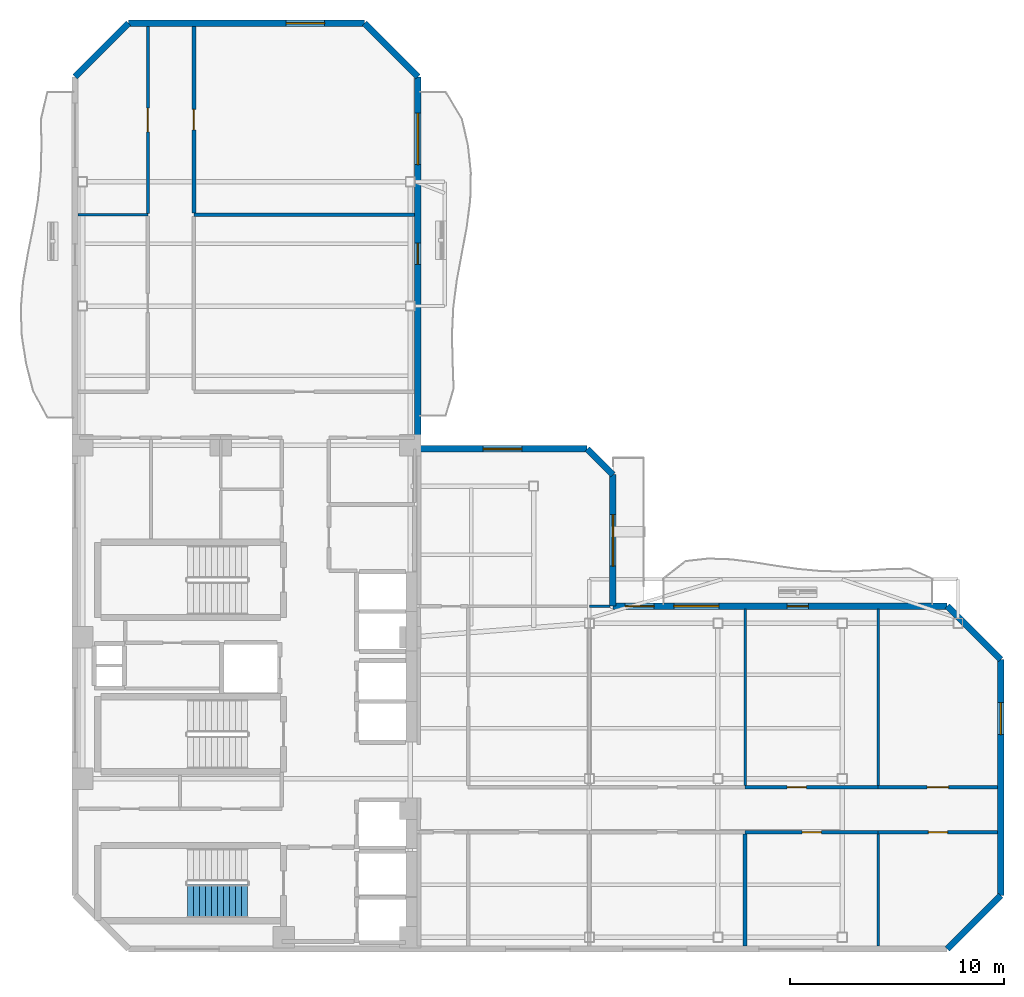
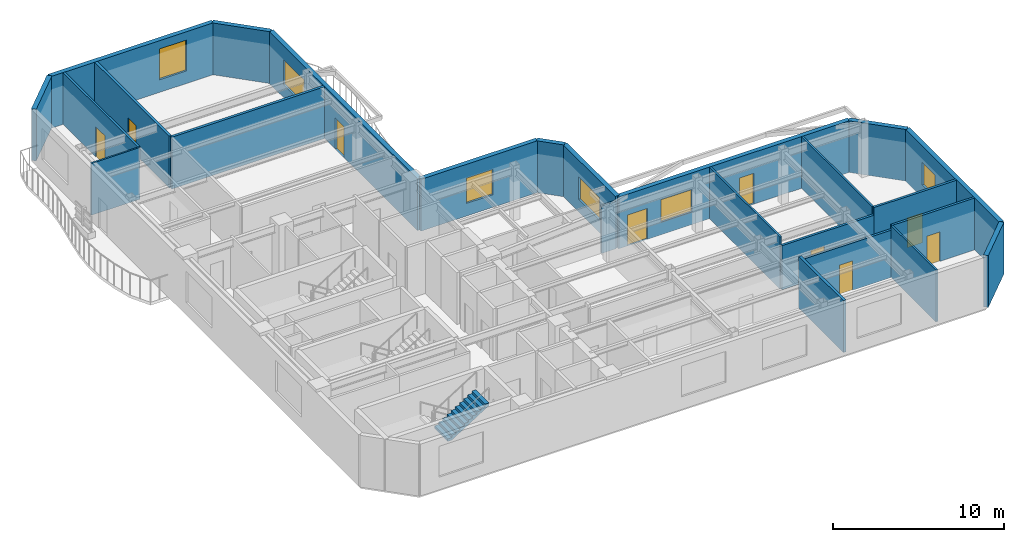
# One storey, part 5 of 9: 24 walls, 9 doors, 6 windows, 1 stair flight, 15 openings, 1 element without a shape of its own.
"""IFC4 building model written with IfcOpenShell, lengths in metres."""

from ifc_helpers import new_model, si_unit, direction, frame, frame_2d, origin, place, context, subcontext, project, spatial, polyline, rectangle, outline, extrude, material, layer, layer_set, type_object, element, fill, aggregate, save


model = new_model("IFC4")

# Units and contexts
model_context = context("Model", 3, precision=1e-05, world=origin(), true_north=direction((0.0, 1.0)))
body_context = subcontext(model_context, "Body", "Model", "MODEL_VIEW")
ifc_project = project(units=[si_unit("LENGTHUNIT", "METRE"), si_unit("AREAUNIT", "SQUARE_METRE"), si_unit("VOLUMEUNIT", "CUBIC_METRE"), si_unit("PLANEANGLEUNIT", "RADIAN"), si_unit("MASSUNIT", "GRAM", prefix="KILO")], contexts=[model_context])

# Site, building, storey
site_placement = place(None, origin())
site = spatial("IfcSite", under=ifc_project, at=site_placement, CompositionType="ELEMENT")
building_placement = place(site_placement, origin())
building = spatial("IfcBuilding", under=site, at=building_placement, Name="Mawjaban Terraces University", CompositionType="ELEMENT")
storey_placement = place(building_placement, frame((0.0, 0.0, 195.300048828125)))
storey = spatial("IfcBuildingStorey", under=building, at=storey_placement, Name="L47", CompositionType="ELEMENT", Elevation=195.300048828125)

# Wall
ifc_material_1 = material(Name="Acoustic masonry blockwork", Category="masonry")
ifc_layer_1 = layer(ifc_material_1, 0.179931640625)
ifc_layer_set_1 = layer_set([ifc_layer_1], Name="Acoustic masonry blockwork")
wall_type_1 = type_object("IfcWallType", Name="AcousticStudioWall_180", PredefinedType="PARTITIONING", material=ifc_layer_set_1)
wall_1_placement = place(storey_placement, frame((37.85009765625, 34.260009765625, 0.0), z_axis=(0.0, 0.0, 1.0), x_axis=(-1.0, 0.0, 0.0)))
element("IfcWall", 1, at=wall_1_placement, inside=storey, type_object=wall_type_1, Name="L47 Faculty Office 11 Partition 17", PredefinedType="PARTITIONING", context=body_context, shape_type="SweptSolid", body=[
    extrude(rectangle(XDim=10.300048828125, YDim=0.179931640625, at=frame_2d((5.14990234375, 0.0))), origin(), (0.0, 0.0, 1.0), 3.68994140625),
])

# Wall, opening, door
wall_2_placement = place(storey_placement, frame((27.550048828125, 34.344970703125, 0.0), z_axis=(0.0, 0.0, 1.0), x_axis=(0.0, 1.0, 0.0)))
wall_2 = element("IfcWall", 2, at=wall_2_placement, inside=storey, type_object=wall_type_1, Name="L47 West Shifted Academic Corridor Partition 36", PredefinedType="PARTITIONING", context=body_context, shape_type="SweptSolid", body=[
    extrude(rectangle(XDim=8.7099609375, YDim=0.179931640625, at=frame_2d((4.35498046875, 0.0))), origin(), (0.0, 0.0, 1.0), 3.68994140625),
])
opening_1_placement = place(wall_2_placement, frame((3.8798828125, 0.0, 0.0)))
opening_1 = element("IfcOpeningElement", 3, at=opening_1_placement, cuts=wall_2, Name="Opening ID-095", PredefinedType="OPENING", context=body_context, shape_type="SweptSolid", body=[
    extrude(rectangle(XDim=0.949951171875, YDim=2.10009765625, at=frame_2d((0.47509765625, 1.050048828125))), frame((0.0, 0.099853515625, 0.0), z_axis=(0.0, -1.0, 0.0), x_axis=(1.0, 0.0, 0.0)), (0.0, 0.0, 1.0), 0.199951171875),
])
ifc_material_2 = material(Name="Powder-coated steel frame and solid acoustic timber leaf", Category="steel")
door_type_1 = type_object("IfcDoorType", Name="StudioDoor_950x2100", OperationType="NOTDEFINED", PredefinedType="DOOR", material=ifc_material_2)
door_1_placement = place(opening_1_placement, origin())
door_1 = element("IfcDoor", 4, at=door_1_placement, inside=storey, type_object=door_type_1, Name="L47 Design Studio 13 Door", OperationType="SINGLE_SWING_LEFT", OverallHeight=2.10009765625, OverallWidth=0.949951171875, PredefinedType="DOOR", context=body_context, shape_type="SweptSolid", body=[
    extrude(rectangle(XDim=0.949951171875, YDim=2.10009765625, at=frame_2d((0.47509765625, 1.050048828125))), frame((0.0, 0.02490234375, 0.0), z_axis=(0.0, -1.0, 0.0), x_axis=(1.0, 0.0, 0.0)), (0.0, 0.0, 1.0), 0.050048828125),
])
fill(opening_1, door_1)

# Wall
wall_3_placement = place(storey_placement, frame((53.27001953125, 0.14501953125, 0.0), z_axis=(0.0, 0.0, 1.0), x_axis=(0.0, 1.0, 0.0)))
element("IfcWall", 5, at=wall_3_placement, inside=storey, type_object=wall_type_1, Name="L47 Media Workshop 4 Partition 54", PredefinedType="PARTITIONING", context=body_context, shape_type="SweptSolid", body=[
    extrude(rectangle(XDim=5.219970703125, YDim=0.179931640625, at=frame_2d((2.60986328125, 0.0))), origin(), (0.0, 0.0, 1.0), 3.68994140625),
])

# Wall, opening, door
ifc_material_3 = material(Name="Fire-rated gypsum board on steel stud", Category="steel")
ifc_layer_2 = layer(ifc_material_3, 0.159912109375)
ifc_layer_set_2 = layer_set([ifc_layer_2], Name="Fire-rated gypsum board on steel stud")
wall_type_2 = type_object("IfcWallType", Name="CorridorPartition_160", PredefinedType="PARTITIONING", material=ifc_layer_set_2)
wall_4_placement = place(storey_placement, frame((53.27001953125, 5.449951171875, 0.0), z_axis=(0.0, 0.0, 1.0), x_axis=(1.0, 0.0, 0.0)))
wall_4 = element("IfcWall", 6, at=wall_4_placement, inside=storey, type_object=wall_type_2, Name="L47 South Shifted Academic Corridor Partition 25", PredefinedType="PARTITIONING", context=body_context, shape_type="SweptSolid", body=[
    extrude(rectangle(XDim=6.2099609375, YDim=0.159912109375, at=frame_2d((3.10498046875, 0.0))), origin(), (0.0, 0.0, 1.0), 3.3720703125),
])
opening_2_placement = place(wall_4_placement, frame((2.655029296875, 0.0, 0.0)))
opening_2 = element("IfcOpeningElement", 7, at=opening_2_placement, cuts=wall_4, Name="Opening ID-090", PredefinedType="OPENING", context=body_context, shape_type="SweptSolid", body=[
    extrude(rectangle(XDim=0.89990234375, YDim=2.10009765625, at=frame_2d((0.449951171875, 1.050048828125))), frame((0.0, 0.08984375, 0.0), z_axis=(0.0, -1.0, 0.0), x_axis=(1.0, 0.0, 0.0)), (0.0, 0.0, 1.0), 0.179931640625),
])
door_type_2 = type_object("IfcDoorType", Name="OfficeDoor_900x2100", OperationType="NOTDEFINED", PredefinedType="DOOR", material=ifc_material_2)
door_2_placement = place(opening_2_placement, origin())
door_2 = element("IfcDoor", 8, at=door_2_placement, inside=storey, type_object=door_type_2, Name="L47 Reading Salon 6 Door", OperationType="SINGLE_SWING_RIGHT", OverallHeight=2.10009765625, OverallWidth=0.89990234375, PredefinedType="DOOR", context=body_context, shape_type="SweptSolid", body=[
    extrude(rectangle(XDim=0.89990234375, YDim=2.10009765625, at=frame_2d((0.449951171875, 1.050048828125))), frame((0.0, 0.02490234375, 0.0), z_axis=(0.0, -1.0, 0.0), x_axis=(1.0, 0.0, 0.0)), (0.0, 0.0, 1.0), 0.050048828125),
])
fill(opening_2, door_2)

wall_5_placement = place(storey_placement, frame((59.47998046875, 5.449951171875, 0.0), z_axis=(0.0, 0.0, 1.0), x_axis=(1.0, 0.0, 0.0)))
wall_5 = element("IfcWall", 9, at=wall_5_placement, inside=storey, type_object=wall_type_2, Name="L47 South Shifted Academic Corridor Partition 27", PredefinedType="PARTITIONING", context=body_context, shape_type="SweptSolid", body=[
    extrude(rectangle(XDim=5.574951171875, YDim=0.159912109375, at=frame_2d((2.78759765625, 0.0))), origin(), (0.0, 0.0, 1.0), 3.68994140625),
])
opening_3_placement = place(wall_5_placement, frame((2.337890625, 0.0, 0.0)))
opening_3 = element("IfcOpeningElement", 10, at=opening_3_placement, cuts=wall_5, Name="Opening ID-090", PredefinedType="OPENING", context=body_context, shape_type="SweptSolid", body=[
    extrude(rectangle(XDim=0.89990234375, YDim=2.10009765625, at=frame_2d((0.449951171875, 1.050048828125))), frame((0.0, 0.08984375, 0.0), z_axis=(0.0, -1.0, 0.0), x_axis=(1.0, 0.0, 0.0)), (0.0, 0.0, 1.0), 0.179931640625),
])
door_3_placement = place(opening_3_placement, origin())
door_3 = element("IfcDoor", 11, at=door_3_placement, inside=storey, type_object=door_type_2, Name="L47 Academic Counseling Room 8 Door", OperationType="SINGLE_SWING_RIGHT", OverallHeight=2.10009765625, OverallWidth=0.89990234375, PredefinedType="DOOR", context=body_context, shape_type="SweptSolid", body=[
    extrude(rectangle(XDim=0.89990234375, YDim=2.10009765625, at=frame_2d((0.449951171875, 1.050048828125))), frame((0.0, 0.02490234375, 0.0), z_axis=(0.0, -1.0, 0.0), x_axis=(1.0, 0.0, 0.0)), (0.0, 0.0, 1.0), 0.050048828125),
])
fill(opening_3, door_3)

wall_6_placement = place(storey_placement, frame((59.47998046875, 7.550048828125, 0.0), z_axis=(0.0, 0.0, 1.0), x_axis=(-1.0, 0.0, 0.0)))
wall_6 = element("IfcWall", 12, at=wall_6_placement, inside=storey, type_object=wall_type_2, Name="L47 South Shifted Academic Corridor Partition 28", PredefinedType="PARTITIONING", context=body_context, shape_type="SweptSolid", body=[
    extrude(rectangle(XDim=6.2099609375, YDim=0.159912109375, at=frame_2d((3.10498046875, 0.0))), origin(), (0.0, 0.0, 1.0), 3.14599609375),
])
opening_4_placement = place(wall_6_placement, frame((3.35498046875, 0.0, 0.0)))
opening_4 = element("IfcOpeningElement", 13, at=opening_4_placement, cuts=wall_6, Name="Opening ID-090", PredefinedType="OPENING", context=body_context, shape_type="SweptSolid", body=[
    extrude(rectangle(XDim=0.89990234375, YDim=2.10009765625, at=frame_2d((0.449951171875, 1.050048828125))), frame((0.0, 0.08984375, 0.0), z_axis=(0.0, -1.0, 0.0), x_axis=(1.0, 0.0, 0.0)), (0.0, 0.0, 1.0), 0.179931640625),
])
door_4_placement = place(opening_4_placement, origin())
door_4 = element("IfcDoor", 14, at=door_4_placement, inside=storey, type_object=door_type_2, Name="L47 Academic Counseling Room 7 Door", OperationType="SINGLE_SWING_LEFT", OverallHeight=2.10009765625, OverallWidth=0.89990234375, PredefinedType="DOOR", context=body_context, shape_type="SweptSolid", body=[
    extrude(rectangle(XDim=0.89990234375, YDim=2.10009765625, at=frame_2d((0.449951171875, 1.050048828125))), frame((0.0, 0.02490234375, 0.0), z_axis=(0.0, -1.0, 0.0), x_axis=(1.0, 0.0, 0.0)), (0.0, 0.0, 1.0), 0.050048828125),
])
fill(opening_4, door_4)

wall_7_placement = place(storey_placement, frame((65.054931640625, 7.550048828125, 0.0), z_axis=(0.0, 0.0, 1.0), x_axis=(-1.0, 0.0, 0.0)))
wall_7 = element("IfcWall", 15, at=wall_7_placement, inside=storey, type_object=wall_type_2, Name="L47 South Shifted Academic Corridor Partition 29", PredefinedType="PARTITIONING", context=body_context, shape_type="SweptSolid", body=[
    extrude(rectangle(XDim=5.574951171875, YDim=0.159912109375, at=frame_2d((2.78759765625, 0.0))), origin(), (0.0, 0.0, 1.0), 3.68994140625),
])
opening_5_placement = place(wall_7_placement, frame((2.2880859375, 0.0, 0.0)))
opening_5 = element("IfcOpeningElement", 16, at=opening_5_placement, cuts=wall_7, Name="Opening ID-100", PredefinedType="OPENING", context=body_context, shape_type="SweptSolid", body=[
    extrude(rectangle(XDim=1.0, YDim=2.10009765625, at=frame_2d((0.5, 1.050048828125))), frame((0.0, 0.08984375, 0.0), z_axis=(0.0, -1.0, 0.0), x_axis=(1.0, 0.0, 0.0)), (0.0, 0.0, 1.0), 0.179931640625),
])
door_type_3 = type_object("IfcDoorType", Name="ClassroomDoor_1000x2100", OperationType="NOTDEFINED", PredefinedType="DOOR", material=ifc_material_2)
door_5_placement = place(opening_5_placement, origin())
door_5 = element("IfcDoor", 17, at=door_5_placement, inside=storey, type_object=door_type_3, Name="L47 Classroom 9 Door", OperationType="SINGLE_SWING_LEFT", OverallHeight=2.10009765625, OverallWidth=1.0, PredefinedType="DOOR", context=body_context, shape_type="SweptSolid", body=[
    extrude(rectangle(XDim=1.0, YDim=2.10009765625, at=frame_2d((0.5, 1.050048828125))), frame((0.0, 0.02490234375, 0.0), z_axis=(0.0, -1.0, 0.0), x_axis=(1.0, 0.0, 0.0)), (0.0, 0.0, 1.0), 0.050048828125),
])
fill(opening_5, door_5)

# Wall
ifc_material_4 = material(Name="Insulated terracotta rainscreen on concrete backup C40/50", Category="masonry")
ifc_layer_3 = layer(ifc_material_4, 0.300048828125)
ifc_layer_set_3 = layer_set([ifc_layer_3], Name="Insulated terracotta rainscreen on concrete backup C40/50")
wall_type_3 = type_object("IfcWallType", Name="ExtTerracottaWall_300", PredefinedType="SOLIDWALL", material=ifc_layer_set_3)
wall_8_placement = place(storey_placement, frame((62.699951171875, 0.0, 0.0), z_axis=(0.0, 0.0, 1.0), x_axis=(0.707106781187, 0.707106781187, 0.0)))
element("IfcWall", 18, at=wall_8_placement, inside=storey, type_object=wall_type_3, Name="L47 Exterior Terracotta Wall 2", PredefinedType="SOLIDWALL", context=body_context, shape_type="SweptSolid", body=[
    extrude(rectangle(XDim=3.53564453125, YDim=0.300048828125, at=frame_2d((1.767822265625, 0.0))), origin(), (0.0, 0.0, 1.0), 3.68994140625),
])

# Wall, opening, window
wall_9_placement = place(storey_placement, frame((65.199951171875, 2.5, 0.0), z_axis=(0.0, 0.0, 1.0), x_axis=(0.0, 1.0, 0.0)))
wall_9 = element("IfcWall", 19, at=wall_9_placement, inside=storey, type_object=wall_type_3, Name="L47 Exterior Terracotta Wall 3", PredefinedType="SOLIDWALL", context=body_context, shape_type="SweptSolid", body=[
    extrude(rectangle(XDim=11.0, YDim=0.300048828125, at=frame_2d((5.5, 0.0))), origin(), (0.0, 0.0, 1.0), 3.68994140625),
])
opening_6_placement = place(wall_9_placement, frame((7.5, 0.0, 0.89990234375)))
opening_6 = element("IfcOpeningElement", 20, at=opening_6_placement, cuts=wall_9, Name="Opening W-02", PredefinedType="OPENING", context=body_context, shape_type="SweptSolid", body=[
    extrude(rectangle(XDim=1.5, YDim=1.60009765625, at=frame_2d((0.75, 0.800048828125))), frame((0.0, 0.159912109375, 0.0), z_axis=(0.0, -1.0, 0.0), x_axis=(1.0, 0.0, 0.0)), (0.0, 0.0, 1.0), 0.320068359375),
])
ifc_material_5 = material(Name="Low-E solar-control double glazing in thermally broken aluminium frame", Category="aluminium")
window_type_1 = type_object("IfcWindowType", Name="Win_1500x1600", PartitioningType="SINGLE_PANEL", PredefinedType="WINDOW", material=ifc_material_5)
window_1_placement = place(opening_6_placement, origin())
window_1 = element("IfcWindow", 21, at=window_1_placement, inside=storey, type_object=window_type_1, Name="L47 Facade Window 3.2", OverallHeight=1.60009765625, OverallWidth=1.5, PartitioningType="SINGLE_PANEL", PredefinedType="WINDOW", context=body_context, shape_type="SweptSolid", body=[
    extrude(rectangle(XDim=1.5, YDim=1.60009765625, at=frame_2d((0.75, 0.800048828125))), frame((0.0, 0.030029296875, 0.0), z_axis=(0.0, -1.0, 0.0), x_axis=(1.0, 0.0, 0.0)), (0.0, 0.0, 1.0), 0.06005859375),
])
fill(opening_6, window_1)

# Wall
wall_10_placement = place(storey_placement, frame((65.199951171875, 13.5, 0.0), z_axis=(0.0, 0.0, 1.0), x_axis=(-0.707106781187, 0.707106781187, 0.0)))
element("IfcWall", 22, at=wall_10_placement, inside=storey, type_object=wall_type_3, Name="L47 Exterior Terracotta Wall 4", PredefinedType="SOLIDWALL", context=body_context, shape_type="SweptSolid", body=[
    extrude(rectangle(XDim=3.53564453125, YDim=0.300048828125, at=frame_2d((1.767822265625, 0.0))), origin(), (0.0, 0.0, 1.0), 3.68994140625),
])

# Wall, openings, doors, window
wall_11_placement = place(storey_placement, frame((62.699951171875, 16.0, 0.0), z_axis=(0.0, 0.0, 1.0), x_axis=(-1.0, 0.0, 0.0)))
wall_11 = element("IfcWall", 23, at=wall_11_placement, inside=storey, type_object=wall_type_3, Name="L47 Exterior Terracotta Wall 5", PredefinedType="SOLIDWALL", context=body_context, shape_type="SweptSolid", body=[
    extrude(rectangle(XDim=15.599853515625, YDim=0.300048828125, at=frame_2d((7.7998046875, 0.0))), origin(), (0.0, 0.0, 1.0), 3.68994140625),
])
opening_7_placement = place(wall_11_placement, frame((6.47509765625, 0.0, 0.0)))
opening_7 = element("IfcOpeningElement", 24, at=opening_7_placement, cuts=wall_11, Name="Opening BD-100", PredefinedType="OPENING", context=body_context, shape_type="SweptSolid", body=[
    extrude(rectangle(XDim=1.0, YDim=2.199951171875, at=frame_2d((0.5, 1.10009765625))), frame((0.0, 0.159912109375, 0.0), z_axis=(0.0, -1.0, 0.0), x_axis=(1.0, 0.0, 0.0)), (0.0, 0.0, 1.0), 0.320068359375),
])
opening_8_placement = place(wall_11_placement, frame((13.675048828125, 0.0, 0.0)))
opening_8 = element("IfcOpeningElement", 25, at=opening_8_placement, cuts=wall_11, Name="Opening TD-135", PredefinedType="OPENING", context=body_context, shape_type="SweptSolid", body=[
    extrude(rectangle(XDim=1.35009765625, YDim=2.199951171875, at=frame_2d((0.675048828125, 1.10009765625))), frame((0.0, 0.159912109375, 0.0), z_axis=(0.0, -1.0, 0.0), x_axis=(1.0, 0.0, 0.0)), (0.0, 0.0, 1.0), 0.320068359375),
])
opening_9_placement = place(wall_11_placement, frame((10.64990234375, 0.0, 0.89990234375)))
opening_9 = element("IfcOpeningElement", 26, at=opening_9_placement, cuts=wall_11, Name="Opening W-04", PredefinedType="OPENING", context=body_context, shape_type="SweptSolid", body=[
    extrude(rectangle(XDim=2.10009765625, YDim=1.60009765625, at=frame_2d((1.050048828125, 0.800048828125))), frame((0.0, 0.159912109375, 0.0), z_axis=(0.0, -1.0, 0.0), x_axis=(1.0, 0.0, 0.0)), (0.0, 0.0, 1.0), 0.320068359375),
])
ifc_material_6 = material(Name="Thermally broken anodised aluminium and laminated safety glass", Category="aluminium")
door_type_4 = type_object("IfcDoorType", Name="BalconyGlazedDoor_1000x2200", OperationType="NOTDEFINED", PredefinedType="DOOR", material=ifc_material_6)
door_6_placement = place(opening_7_placement, origin())
door_6 = element("IfcDoor", 27, at=door_6_placement, inside=storey, type_object=door_type_4, Name="L47 Balcony Access Door inner_north", OperationType="SINGLE_SWING_RIGHT", OverallHeight=2.199951171875, OverallWidth=1.0, PredefinedType="DOOR", context=body_context, shape_type="SweptSolid", body=[
    extrude(rectangle(XDim=1.0, YDim=2.199951171875, at=frame_2d((0.5, 1.10009765625))), frame((0.0, 0.02490234375, 0.0), z_axis=(0.0, -1.0, 0.0), x_axis=(1.0, 0.0, 0.0)), (0.0, 0.0, 1.0), 0.050048828125),
])
fill(opening_7, door_6)
door_type_5 = type_object("IfcDoorType", Name="TerraceGlazedDoor_1350x2200", OperationType="NOTDEFINED", PredefinedType="DOOR", material=ifc_material_6)
door_7_placement = place(opening_8_placement, origin())
door_7 = element("IfcDoor", 28, at=door_7_placement, inside=storey, type_object=door_type_5, Name="L47 Terrace Access Door TER-L47-CLIMB", OperationType="SINGLE_SWING_RIGHT", OverallHeight=2.199951171875, OverallWidth=1.35009765625, PredefinedType="DOOR", context=body_context, shape_type="SweptSolid", body=[
    extrude(rectangle(XDim=1.35009765625, YDim=2.199951171875, at=frame_2d((0.675048828125, 1.10009765625))), frame((0.0, 0.02490234375, 0.0), z_axis=(0.0, -1.0, 0.0), x_axis=(1.0, 0.0, 0.0)), (0.0, 0.0, 1.0), 0.050048828125),
])
fill(opening_8, door_7)
window_type_2 = type_object("IfcWindowType", Name="Win_2100x1600", PartitioningType="SINGLE_PANEL", PredefinedType="WINDOW", material=ifc_material_5)
window_2_placement = place(opening_9_placement, origin())
window_2 = element("IfcWindow", 29, at=window_2_placement, inside=storey, type_object=window_type_2, Name="L47 Facade Window 5.2", OverallHeight=1.60009765625, OverallWidth=2.10009765625, PartitioningType="SINGLE_PANEL", PredefinedType="WINDOW", context=body_context, shape_type="SweptSolid", body=[
    extrude(rectangle(XDim=2.10009765625, YDim=1.60009765625, at=frame_2d((1.050048828125, 0.800048828125))), frame((0.0, 0.030029296875, 0.0), z_axis=(0.0, -1.0, 0.0), x_axis=(1.0, 0.0, 0.0)), (0.0, 0.0, 1.0), 0.06005859375),
])
fill(opening_9, window_2)

# Wall, opening, window
wall_12_placement = place(storey_placement, frame((47.10009765625, 16.0, 0.0), z_axis=(0.0, 0.0, 1.0), x_axis=(0.0, 1.0, 0.0)))
wall_12 = element("IfcWall", 30, at=wall_12_placement, inside=storey, type_object=wall_type_3, Name="L47 Exterior Terracotta Wall 6", PredefinedType="SOLIDWALL", context=body_context, shape_type="SweptSolid", body=[
    extrude(rectangle(XDim=6.135009765625, YDim=0.300048828125, at=frame_2d((3.0673828125, 0.0))), origin(), (0.0, 0.0, 1.0), 3.68994140625),
])
opening_10_placement = place(wall_12_placement, frame((1.867919921875, 0.0, 0.89990234375)))
opening_10 = element("IfcOpeningElement", 31, at=opening_10_placement, cuts=wall_12, Name="Opening W-05", PredefinedType="OPENING", context=body_context, shape_type="SweptSolid", body=[
    extrude(rectangle(XDim=2.39990234375, YDim=1.60009765625, at=frame_2d((1.199951171875, 0.800048828125))), frame((0.0, 0.159912109375, 0.0), z_axis=(0.0, -1.0, 0.0), x_axis=(1.0, 0.0, 0.0)), (0.0, 0.0, 1.0), 0.320068359375),
])
window_type_3 = type_object("IfcWindowType", Name="Win_2400x1600", PartitioningType="SINGLE_PANEL", PredefinedType="WINDOW", material=ifc_material_5)
window_3_placement = place(opening_10_placement, origin())
window_3 = element("IfcWindow", 32, at=window_3_placement, inside=storey, type_object=window_type_3, Name="L47 Facade Window 6.1", OverallHeight=1.60009765625, OverallWidth=2.39990234375, PartitioningType="SINGLE_PANEL", PredefinedType="WINDOW", context=body_context, shape_type="SweptSolid", body=[
    extrude(rectangle(XDim=2.39990234375, YDim=1.60009765625, at=frame_2d((1.199951171875, 0.800048828125))), frame((0.0, 0.030029296875, 0.0), z_axis=(0.0, -1.0, 0.0), x_axis=(1.0, 0.0, 0.0)), (0.0, 0.0, 1.0), 0.06005859375),
])
fill(opening_10, window_3)

# Wall
wall_13_placement = place(storey_placement, frame((47.10009765625, 22.135009765625, 0.0), z_axis=(0.0, 0.0, 1.0), x_axis=(-0.707178703759, 0.707034851297, 0.0)))
element("IfcWall", 33, at=wall_13_placement, inside=storey, type_object=wall_type_3, Name="L47 Exterior Terracotta Wall 7", PredefinedType="SOLIDWALL", context=body_context, shape_type="SweptSolid", body=[
    extrude(rectangle(XDim=1.697265625, YDim=0.300048828125, at=frame_2d((0.8486328125, 0.0))), origin(), (0.0, 0.0, 1.0), 3.68994140625),
])

# Wall, opening, window
wall_14_placement = place(storey_placement, frame((45.89990234375, 23.3349609375, 0.0), z_axis=(0.0, 0.0, 1.0), x_axis=(-1.0, 0.0, 0.0)))
wall_14 = element("IfcWall", 34, at=wall_14_placement, inside=storey, type_object=wall_type_3, Name="L47 Exterior Terracotta Wall 8", PredefinedType="SOLIDWALL", context=body_context, shape_type="SweptSolid", body=[
    extrude(rectangle(XDim=7.89990234375, YDim=0.300048828125, at=frame_2d((3.949951171875, 0.0))), origin(), (0.0, 0.0, 1.0), 3.68994140625),
])
opening_11_placement = place(wall_14_placement, frame((3.050048828125, 0.0, 0.89990234375)))
opening_11 = element("IfcOpeningElement", 35, at=opening_11_placement, cuts=wall_14, Name="Opening W-07", PredefinedType="OPENING", context=body_context, shape_type="SweptSolid", body=[
    extrude(rectangle(XDim=1.800048828125, YDim=1.800048828125, at=frame_2d((0.89990234375, 0.89990234375))), frame((0.0, 0.159912109375, 0.0), z_axis=(0.0, -1.0, 0.0), x_axis=(1.0, 0.0, 0.0)), (0.0, 0.0, 1.0), 0.320068359375),
])
window_type_4 = type_object("IfcWindowType", Name="Win_1800x1800", PartitioningType="SINGLE_PANEL", PredefinedType="WINDOW", material=ifc_material_5)
window_4_placement = place(opening_11_placement, origin())
window_4 = element("IfcWindow", 36, at=window_4_placement, inside=storey, type_object=window_type_4, Name="L47 Facade Window 8.1", OverallHeight=1.800048828125, OverallWidth=1.800048828125, PartitioningType="SINGLE_PANEL", PredefinedType="WINDOW", context=body_context, shape_type="SweptSolid", body=[
    extrude(rectangle(XDim=1.800048828125, YDim=1.800048828125, at=frame_2d((0.89990234375, 0.89990234375))), frame((0.0, 0.030029296875, 0.0), z_axis=(0.0, -1.0, 0.0), x_axis=(1.0, 0.0, 0.0)), (0.0, 0.0, 1.0), 0.06005859375),
])
fill(opening_11, window_4)

# Wall, openings, door, window
wall_15_placement = place(storey_placement, frame((38.0, 23.3349609375, 0.0), z_axis=(0.0, 0.0, 1.0), x_axis=(0.0, 1.0, 0.0)))
wall_15 = element("IfcWall", 37, at=wall_15_placement, inside=storey, type_object=wall_type_3, Name="L47 Exterior Terracotta Wall 9", PredefinedType="SOLIDWALL", context=body_context, shape_type="SweptSolid", body=[
    extrude(rectangle(XDim=17.364990234375, YDim=0.300048828125, at=frame_2d((8.6826171875, 0.0))), origin(), (0.0, 0.0, 1.0), 3.68994140625),
])
opening_12_placement = place(wall_15_placement, frame((8.60888671875, 0.0, 0.0)))
opening_12 = element("IfcOpeningElement", 38, at=opening_12_placement, cuts=wall_15, Name="Opening BD-100", PredefinedType="OPENING", context=body_context, shape_type="SweptSolid", body=[
    extrude(rectangle(XDim=1.0, YDim=2.199951171875, at=frame_2d((0.5, 1.10009765625))), frame((0.0, 0.159912109375, 0.0), z_axis=(0.0, -1.0, 0.0), x_axis=(1.0, 0.0, 0.0)), (0.0, 0.0, 1.0), 0.320068359375),
])
opening_13_placement = place(wall_15_placement, frame((13.27099609375, 0.0, 0.89990234375)))
opening_13 = element("IfcOpeningElement", 39, at=opening_13_placement, cuts=wall_15, Name="Opening W-08", PredefinedType="OPENING", context=body_context, shape_type="SweptSolid", body=[
    extrude(rectangle(XDim=2.39990234375, YDim=1.800048828125, at=frame_2d((1.199951171875, 0.89990234375))), frame((0.0, 0.159912109375, 0.0), z_axis=(0.0, -1.0, 0.0), x_axis=(1.0, 0.0, 0.0)), (0.0, 0.0, 1.0), 0.320068359375),
])
door_8_placement = place(opening_12_placement, origin())
door_8 = element("IfcDoor", 40, at=door_8_placement, inside=storey, type_object=door_type_4, Name="L47 Balcony Access Door inner_east", OperationType="SINGLE_SWING_RIGHT", OverallHeight=2.199951171875, OverallWidth=1.0, PredefinedType="DOOR", context=body_context, shape_type="SweptSolid", body=[
    extrude(rectangle(XDim=1.0, YDim=2.199951171875, at=frame_2d((0.5, 1.10009765625))), frame((0.0, 0.02490234375, 0.0), z_axis=(0.0, -1.0, 0.0), x_axis=(1.0, 0.0, 0.0)), (0.0, 0.0, 1.0), 0.050048828125),
])
fill(opening_12, door_8)
window_type_5 = type_object("IfcWindowType", Name="Win_2400x1800", PartitioningType="SINGLE_PANEL", PredefinedType="WINDOW", material=ifc_material_5)
window_5_placement = place(opening_13_placement, origin())
window_5 = element("IfcWindow", 41, at=window_5_placement, inside=storey, type_object=window_type_5, Name="L47 Facade Window 9.3", OverallHeight=1.800048828125, OverallWidth=2.39990234375, PartitioningType="SINGLE_PANEL", PredefinedType="WINDOW", context=body_context, shape_type="SweptSolid", body=[
    extrude(rectangle(XDim=2.39990234375, YDim=1.800048828125, at=frame_2d((1.199951171875, 0.89990234375))), frame((0.0, 0.030029296875, 0.0), z_axis=(0.0, -1.0, 0.0), x_axis=(1.0, 0.0, 0.0)), (0.0, 0.0, 1.0), 0.06005859375),
])
fill(opening_13, window_5)

# Wall
wall_16_placement = place(storey_placement, frame((38.0, 40.699951171875, 0.0), z_axis=(0.0, 0.0, 1.0), x_axis=(-0.707106781187, 0.707106781187, 0.0)))
element("IfcWall", 42, at=wall_16_placement, inside=storey, type_object=wall_type_3, Name="L47 Exterior Terracotta Wall 10", PredefinedType="SOLIDWALL", context=body_context, shape_type="SweptSolid", body=[
    extrude(rectangle(XDim=3.53564453125, YDim=0.300048828125, at=frame_2d((1.767822265625, 0.0))), origin(), (0.0, 0.0, 1.0), 3.68994140625),
])

# Wall, opening, window
wall_17_placement = place(storey_placement, frame((35.5, 43.199951171875, 0.0), z_axis=(0.0, 0.0, 1.0), x_axis=(-1.0, 0.0, 0.0)))
wall_17 = element("IfcWall", 43, at=wall_17_placement, inside=storey, type_object=wall_type_3, Name="L47 Exterior Terracotta Wall 11", PredefinedType="SOLIDWALL", context=body_context, shape_type="SweptSolid", body=[
    extrude(rectangle(XDim=11.0, YDim=0.300048828125, at=frame_2d((5.5, 0.0))), origin(), (0.0, 0.0, 1.0), 3.68994140625),
])
opening_14_placement = place(wall_17_placement, frame((1.85009765625, 0.0, 0.89990234375)))
opening_14 = element("IfcOpeningElement", 44, at=opening_14_placement, cuts=wall_17, Name="Opening W-10", PredefinedType="OPENING", context=body_context, shape_type="SweptSolid", body=[
    extrude(rectangle(XDim=1.800048828125, YDim=2.199951171875, at=frame_2d((0.89990234375, 1.10009765625))), frame((0.0, 0.159912109375, 0.0), z_axis=(0.0, -1.0, 0.0), x_axis=(1.0, 0.0, 0.0)), (0.0, 0.0, 1.0), 0.320068359375),
])
window_type_6 = type_object("IfcWindowType", Name="Win_1800x2200", PartitioningType="SINGLE_PANEL", PredefinedType="WINDOW", material=ifc_material_5)
window_6_placement = place(opening_14_placement, origin())
window_6 = element("IfcWindow", 45, at=window_6_placement, inside=storey, type_object=window_type_6, Name="L47 Facade Window 11.1", OverallHeight=2.199951171875, OverallWidth=1.800048828125, PartitioningType="SINGLE_PANEL", PredefinedType="WINDOW", context=body_context, shape_type="SweptSolid", body=[
    extrude(rectangle(XDim=1.800048828125, YDim=2.199951171875, at=frame_2d((0.89990234375, 1.10009765625))), frame((0.0, 0.030029296875, 0.0), z_axis=(0.0, -1.0, 0.0), x_axis=(1.0, 0.0, 0.0)), (0.0, 0.0, 1.0), 0.06005859375),
])
fill(opening_14, window_6)

# Wall
wall_18_placement = place(storey_placement, frame((24.5, 43.199951171875, 0.0), z_axis=(0.0, 0.0, 1.0), x_axis=(-0.707106781187, -0.707106781187, 0.0)))
element("IfcWall", 46, at=wall_18_placement, inside=storey, type_object=wall_type_3, Name="L47 Exterior Terracotta Wall 12", PredefinedType="SOLIDWALL", context=body_context, shape_type="SweptSolid", body=[
    extrude(rectangle(XDim=3.53564453125, YDim=0.300048828125, at=frame_2d((1.767822265625, 0.0))), origin(), (0.0, 0.0, 1.0), 3.68994140625),
])

# Wall, opening, door
ifc_material_7 = material(Name="Moisture-resistant gypsum board on steel stud", Category="steel")
ifc_layer_4 = layer(ifc_material_7, 0.14501953125)
ifc_layer_set_4 = layer_set([ifc_layer_4], Name="Moisture-resistant gypsum board on steel stud")
wall_type_4 = type_object("IfcWallType", Name="LabPartition_145", PredefinedType="PARTITIONING", material=ifc_layer_set_4)
wall_19_placement = place(storey_placement, frame((25.39990234375, 43.054931640625, 0.0), z_axis=(0.0, 0.0, 1.0), x_axis=(0.0, -1.0, 0.0)))
wall_19 = element("IfcWall", 47, at=wall_19_placement, inside=storey, type_object=wall_type_4, Name="L47 West Shifted Academic Corridor Partition 32", PredefinedType="PARTITIONING", context=body_context, shape_type="SweptSolid", body=[
    extrude(rectangle(XDim=8.744873046875, YDim=0.14501953125, at=frame_2d((4.37255859375, 0.0))), origin(), (0.0, 0.0, 1.0), 3.68994140625),
])
opening_15_placement = place(wall_19_placement, frame((3.822021484375, 0.0, 0.0)))
opening_15 = element("IfcOpeningElement", 48, at=opening_15_placement, cuts=wall_19, Name="Opening ID-110", PredefinedType="OPENING", context=body_context, shape_type="SweptSolid", body=[
    extrude(rectangle(XDim=1.10009765625, YDim=2.14990234375, at=frame_2d((0.550048828125, 1.074951171875))), frame((0.0, 0.08251953125, 0.0), z_axis=(0.0, -1.0, 0.0), x_axis=(1.0, 0.0, 0.0)), (0.0, 0.0, 1.0), 0.1650390625),
])
door_type_6 = type_object("IfcDoorType", Name="LabDoor_1100x2150", OperationType="NOTDEFINED", PredefinedType="DOOR", material=ifc_material_2)
door_9_placement = place(opening_15_placement, origin())
door_9 = element("IfcDoor", 49, at=door_9_placement, inside=storey, type_object=door_type_6, Name="L47 Teaching Laboratory 12 Door", OperationType="SINGLE_SWING_RIGHT", OverallHeight=2.14990234375, OverallWidth=1.10009765625, PredefinedType="DOOR", context=body_context, shape_type="SweptSolid", body=[
    extrude(rectangle(XDim=1.10009765625, YDim=2.14990234375, at=frame_2d((0.550048828125, 1.074951171875))), frame((0.0, 0.02490234375, 0.0), z_axis=(0.0, -1.0, 0.0), x_axis=(1.0, 0.0, 0.0)), (0.0, 0.0, 1.0), 0.050048828125),
])
fill(opening_15, door_9)

# Walls
ifc_material_8 = material(Name="Gypsum plasterboard on steel stud", Category="steel")
ifc_layer_5 = layer(ifc_material_8, 0.125)
ifc_layer_set_5 = layer_set([ifc_layer_5], Name="Gypsum plasterboard on steel stud")
wall_type_5 = type_object("IfcWallType", Name="OfficePartition_125", PredefinedType="PARTITIONING", material=ifc_layer_set_5)
wall_20_placement = place(storey_placement, frame((46.0, 16.0, 0.0), z_axis=(0.0, 0.0, 1.0), x_axis=(1.0, 0.0, 0.0)))
element("IfcWall", 50, at=wall_20_placement, inside=storey, type_object=wall_type_5, Name="L47 Terrace Collaborative Study Room Partition 23", PredefinedType="PARTITIONING", context=body_context, shape_type="SweptSolid", body=[
    extrude(rectangle(XDim=0.955078125, YDim=0.125, at=frame_2d((0.4775390625, 0.0))), origin(), (0.0, 0.0, 1.0), 3.389892578125),
])
wall_21_placement = place(storey_placement, frame((53.27001953125, 7.625, 0.0), z_axis=(0.0, 0.0, 1.0), x_axis=(0.0, 1.0, 0.0)))
element("IfcWall", 51, at=wall_21_placement, inside=storey, type_object=wall_type_5, Name="L47 Quiet Reading Room 5 Partition 55", PredefinedType="PARTITIONING", context=body_context, shape_type="SweptSolid", body=[
    extrude(rectangle(XDim=8.22998046875, YDim=0.125, at=frame_2d((4.114990234375, 0.0))), origin(), (0.0, 0.0, 1.0), 3.68994140625),
])
wall_22_placement = place(storey_placement, frame((59.47998046875, 0.14501953125, 0.0), z_axis=(0.0, 0.0, 1.0), x_axis=(0.0, 1.0, 0.0)))
element("IfcWall", 52, at=wall_22_placement, inside=storey, type_object=wall_type_5, Name="L47 Reading Salon 6 Partition 56", PredefinedType="PARTITIONING", context=body_context, shape_type="SweptSolid", body=[
    extrude(rectangle(XDim=5.22998046875, YDim=0.125, at=frame_2d((2.614990234375, 0.0))), origin(), (0.0, 0.0, 1.0), 3.68994140625),
])
wall_23_placement = place(storey_placement, frame((59.47998046875, 7.625, 0.0), z_axis=(0.0, 0.0, 1.0), x_axis=(0.0, 1.0, 0.0)))
element("IfcWall", 53, at=wall_23_placement, inside=storey, type_object=wall_type_5, Name="L47 Academic Counseling Room 7 Partition 57", PredefinedType="PARTITIONING", context=body_context, shape_type="SweptSolid", body=[
    extrude(rectangle(XDim=8.22998046875, YDim=0.125, at=frame_2d((4.114990234375, 0.0))), origin(), (0.0, 0.0, 1.0), 3.68994140625),
])
ifc_material_9 = material(Name="Acoustic operable panel partition", Category="masonry")
ifc_layer_6 = layer(ifc_material_9, 0.110107421875)
ifc_layer_set_6 = layer_set([ifc_layer_6], Name="Acoustic operable panel partition")
wall_type_6 = type_object("IfcWallType", Name="OperableSeminarWall_110", PredefinedType="MOVABLE", material=ifc_layer_set_6)
wall_24_placement = place(storey_placement, frame((25.39990234375, 34.260009765625, 0.0), z_axis=(0.0, 0.0, 1.0), x_axis=(-1.0, 0.0, 0.0)))
element("IfcWall", 54, at=wall_24_placement, inside=storey, type_object=wall_type_6, Name="L47 Seminar Room 10 Partition 4", PredefinedType="MOVABLE", context=body_context, shape_type="SweptSolid", body=[
    extrude(rectangle(XDim=3.2548828125, YDim=0.110107421875, at=frame_2d((1.62744140625, 0.0))), origin(), (0.0, 0.0, 1.0), 3.68994140625),
])

# Stair, stair flight
ifc_material_10 = material(Name="Concrete C40/50", Category="concrete")
stair_type = type_object("IfcStairType", Name="Stair_Core1550_H39", PredefinedType="HALF_TURN_STAIR", material=ifc_material_10)
stair_placement = place(storey_placement, origin())
stair = element("IfcStair", 55, at=stair_placement, inside=storey, type_object=stair_type, Name="L47 Core Exit Stair 1", PredefinedType="HALF_TURN_STAIR")
stair_flight_type = type_object("IfcStairFlightType", Name="Flight_Core1550_H39", PredefinedType="STRAIGHT", material=ifc_material_10)
stair_flight_placement = place(storey_placement, frame((27.25, 2.22509765625, 1.949951171875), z_axis=(0.0, 0.0, 1.0), x_axis=(1.0, 0.0, 0.0)))
stair_flight = element("IfcStairFlight", 56, at=stair_flight_placement, type_object=stair_flight_type, Name="ST-1 flight 2", NumberOfRisers=11, NumberOfTreads=10, PredefinedType="STRAIGHT", RiserHeight=0.177272727, TreadLength=0.28, context=body_context, shape_type="SweptSolid", body=[
    extrude(outline(polyline([(0.0, 0.0), (0.0, 0.17724609375), (0.280029296875, 0.17724609375), (0.280029296875, 0.3544921875), (0.56005859375, 0.3544921875), (0.56005859375, 0.53173828125), (0.840087890625, 0.53173828125), (0.840087890625, 0.708984375), (1.1201171875, 0.708984375), (1.1201171875, 0.886474609375), (1.39990234375, 0.886474609375), (1.39990234375, 1.063720703125), (1.679931640625, 1.063720703125), (1.679931640625, 1.240966796875), (1.9599609375, 1.240966796875), (1.9599609375, 1.418212890625), (2.239990234375, 1.418212890625), (2.239990234375, 1.595458984375), (2.52001953125, 1.595458984375), (2.52001953125, 1.772705078125), (2.800048828125, 1.772705078125), (2.800048828125, 1.949951171875), (2.800048828125, 1.59521484375), (0.2802734375, 0.0), (0.0, 0.0)])), frame((0.0, 0.77490234375, 0.0), z_axis=(0.0, -1.0, 0.0), x_axis=(1.0, 0.0, 0.0)), (0.0, 0.0, 1.0), 1.550048828125),
])
aggregate(stair, [stair_flight])

save(model, "model.ifc")
